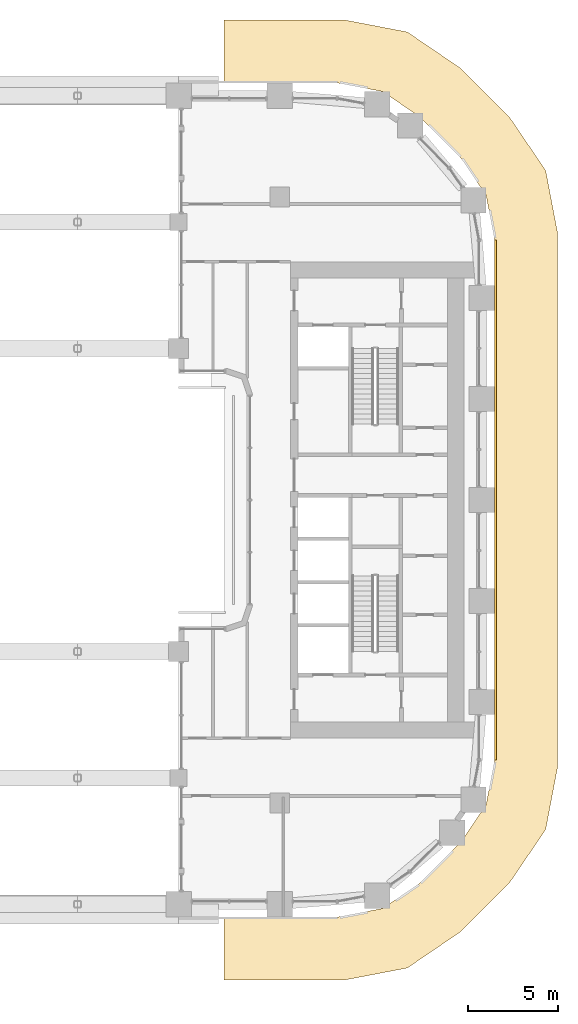
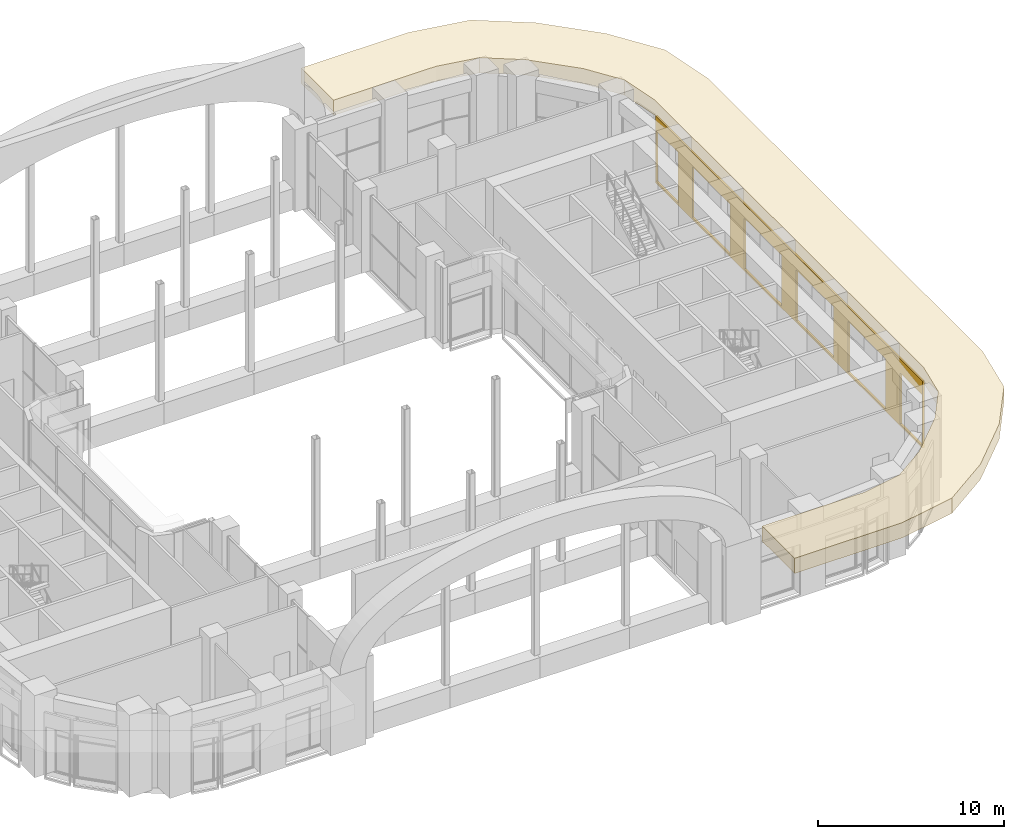
# One storey, part 25 of 27: 2 coverings.
"""IFC4 building model written with IfcOpenShell, lengths in metres."""

from ifc_helpers import new_model, si_unit, direction, frame, origin, place, context, subcontext, project, spatial, polyline, outline, extrude, material, layer, layer_set, type_object, element, save


model = new_model("IFC4")

# Units and contexts
model_context = context("Model", 3, precision=1e-05, world=origin(), true_north=direction((0.0, 1.0)))
body_context = subcontext(model_context, "Body", "Model", "MODEL_VIEW")
ifc_project = project(units=[si_unit("LENGTHUNIT", "METRE"), si_unit("AREAUNIT", "SQUARE_METRE"), si_unit("VOLUMEUNIT", "CUBIC_METRE"), si_unit("PLANEANGLEUNIT", "RADIAN"), si_unit("MASSUNIT", "GRAM", prefix="KILO")], contexts=[model_context])

# Site, building, storey
site_placement = place(None, origin())
site = spatial("IfcSite", under=ifc_project, at=site_placement, CompositionType="ELEMENT")
building_placement = place(site_placement, origin())
building = spatial("IfcBuilding", under=site, at=building_placement, Name="Kiln Ring Residences", CompositionType="ELEMENT")
storey_placement = place(building_placement, frame((0.0, 0.0, 72.5)))
storey = spatial("IfcBuildingStorey", under=building, at=storey_placement, Name="L18", CompositionType="ELEMENT", Elevation=72.5)

# Coverings
ifc_material_1 = material(Name="Brick masonry, dark clay brick", Category="masonry")
ifc_layer_1 = layer(ifc_material_1, 0.1201171875)
ifc_layer_set_1 = layer_set([ifc_layer_1], Name="RAINSCREEN PANEL 120")
covering_type_1 = type_object("IfcCoveringType", Name="RAINSCREEN PANEL 120", PredefinedType="CLADDING", material=ifc_layer_set_1)
covering_1_placement = place(storey_placement, frame((28.760009765625, -14.39990234375, 0.0), z_axis=(0.0, 0.0, 1.0), x_axis=(0.0, 1.0, 0.0)))
element("IfcCovering", 1, at=covering_1_placement, inside=storey, type_object=covering_type_1, Name="RAINSCREEN L18", PredefinedType="CLADDING", context=body_context, shape_type="SweptSolid", body=[
    extrude(outline(polyline([(0.0, 0.0), (28.800048828125, 0.0), (28.800048828125, 4.39990234375), (0.0, 4.39990234375), (0.0, 0.0)]), holes=[polyline([(2.419921875, 0.1298828125), (2.419921875, 3.469970703125), (0.080078125, 3.469970703125), (0.080078125, 0.1298828125), (2.419921875, 0.1298828125)]), polyline([(3.97998046875, 0.1298828125), (8.02001953125, 0.1298828125), (8.02001953125, 3.469970703125), (3.97998046875, 3.469970703125), (3.97998046875, 0.1298828125)]), polyline([(9.580078125, 0.1298828125), (13.6201171875, 0.1298828125), (13.6201171875, 3.469970703125), (9.580078125, 3.469970703125), (9.580078125, 0.1298828125)]), polyline([(19.219970703125, 0.1298828125), (19.219970703125, 3.469970703125), (15.179931640625, 3.469970703125), (15.179931640625, 0.1298828125), (19.219970703125, 0.1298828125)]), polyline([(20.780029296875, 0.1298828125), (24.820068359375, 0.1298828125), (24.820068359375, 3.469970703125), (20.780029296875, 3.469970703125), (20.780029296875, 0.1298828125)]), polyline([(26.3798828125, 0.1298828125), (28.719970703125, 0.1298828125), (28.719970703125, 3.469970703125), (26.3798828125, 3.469970703125), (26.3798828125, 0.1298828125)])]), frame((0.0, 0.06005859375, 0.0), z_axis=(0.0, -1.0, 0.0), x_axis=(1.0, 0.0, 0.0)), (0.0, 0.0, 1.0), 0.1201171875),
])
ifc_material_2 = material(Name="Black powder-coated steel", Category="steel")
ifc_layer_2 = layer(ifc_material_2, 1.0)
ifc_layer_set_2 = layer_set([ifc_layer_2], Name="SUNSHADE FIN 3500")
covering_type_2 = type_object("IfcCoveringType", Name="SUNSHADE FIN 3500", PredefinedType="CLADDING", material=ifc_layer_set_2)
covering_2_placement = place(storey_placement, frame((0.0, 0.0, 4.39990234375)))
element("IfcCovering", 2, at=covering_2_placement, inside=storey, type_object=covering_type_2, Name="SUNSHADE FIN L18", PredefinedType="CLADDING", context=body_context, shape_type="SweptSolid", body=[
    extrude(outline(polyline([(20.39697265625, 26.60009765625), (13.699951171875, 26.60009765625), (13.699951171875, 23.10009765625), (20.066162109375, 23.10009765625), (22.497802734375, 22.63623046875), (24.545166015625, 21.24462890625), (26.8447265625, 18.9453125), (28.236083984375, 16.897705078125), (28.699951171875, 14.46630859375), (28.699951171875, -14.46630859375), (28.236083984375, -16.897705078125), (26.8447265625, -18.9453125), (24.545166015625, -21.24462890625), (22.497802734375, -22.63623046875), (20.066162109375, -23.10009765625), (13.699951171875, -23.10009765625), (13.699951171875, -26.60009765625), (20.39697265625, -26.60009765625), (23.865478515625, -25.9384765625), (26.7861328125, -23.95361328125), (29.553466796875, -21.186279296875), (31.538330078125, -18.265625), (32.199951171875, -14.797119140625), (32.199951171875, 14.797119140625), (31.538330078125, 18.265625), (29.553466796875, 21.186279296875), (26.7861328125, 23.95361328125), (23.865478515625, 25.9384765625), (20.39697265625, 26.60009765625)])), origin(), (0.0, 0.0, 1.0), 1.0),
])

save(model, "model.ifc")
